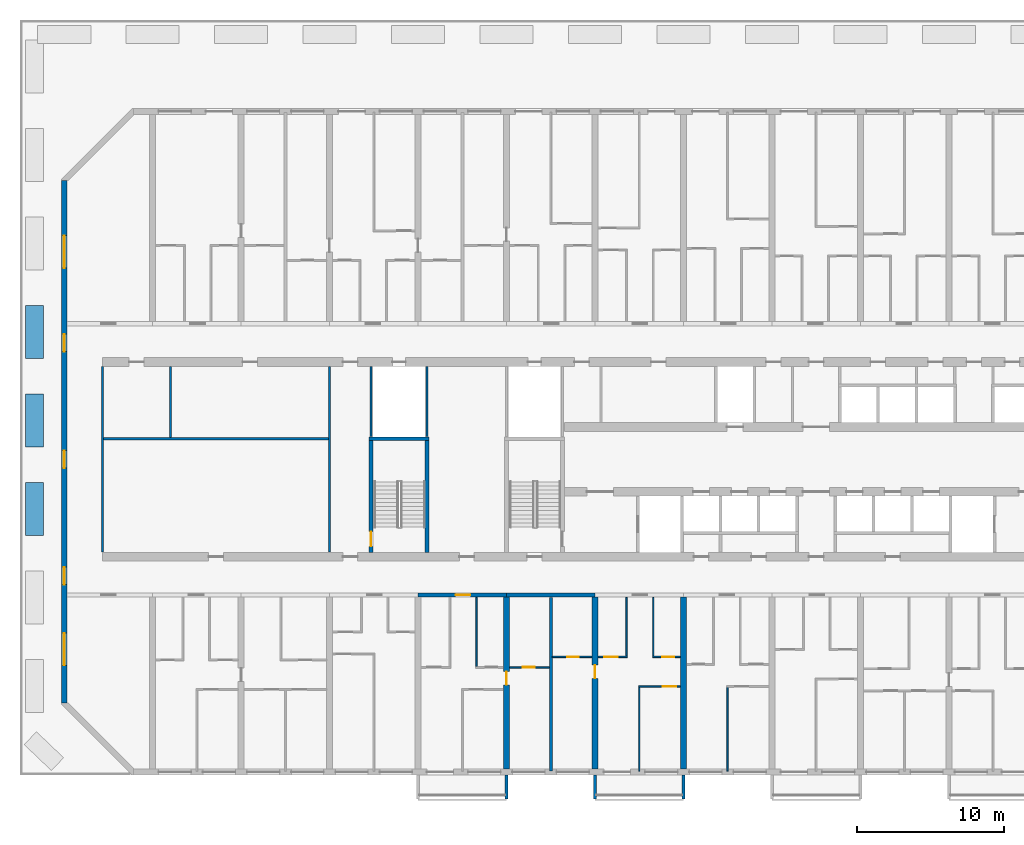
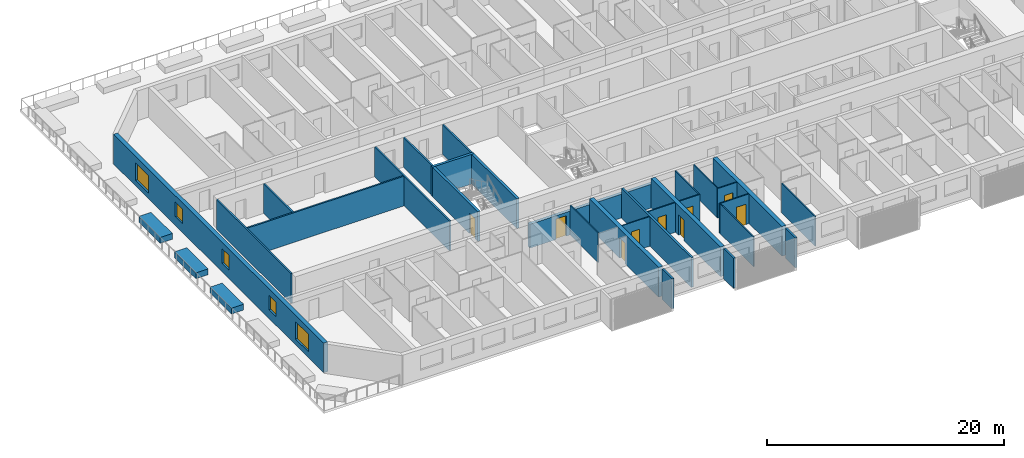
# One storey, part 3 of 23: 32 walls, 9 doors, 5 windows, 14 openings.
"""IFC4 building model written with IfcOpenShell, lengths in metres."""

from ifc_helpers import new_model, si_unit, direction, frame, frame_2d, origin, place, context, subcontext, project, spatial, polyline, rectangle, outline, extrude, source, transform, mapped, material, layer, layer_set, type_object, element, fill, save


model = new_model("IFC4")

# Units and contexts
model_context = context("Model", 3, precision=1e-05, world=origin(), true_north=direction((0.0, 1.0)))
body_context = subcontext(model_context, "Body", "Model", "MODEL_VIEW")
ifc_project = project(units=[si_unit("LENGTHUNIT", "METRE"), si_unit("AREAUNIT", "SQUARE_METRE"), si_unit("VOLUMEUNIT", "CUBIC_METRE"), si_unit("PLANEANGLEUNIT", "RADIAN"), si_unit("MASSUNIT", "GRAM", prefix="KILO")], contexts=[model_context])

# Site, building, storey
site_placement = place(None, origin())
site = spatial("IfcSite", under=ifc_project, at=site_placement, CompositionType="ELEMENT")
building_placement = place(site_placement, origin())
building = spatial("IfcBuilding", under=site, at=building_placement, Name="Poui Terraces", CompositionType="ELEMENT")
storey_placement = place(building_placement, frame((0.0, 0.0, 23.39990234375)))
storey = spatial("IfcBuildingStorey", under=building, at=storey_placement, Name="L05", CompositionType="ELEMENT", Elevation=23.39990234375)

# Walls
ifc_material_1 = material(Name="Fire-rated plasterboard wall")
ifc_layer_1 = layer(ifc_material_1, 0.14990234375)
ifc_layer_set_1 = layer_set([ifc_layer_1], Name="Fire-rated plasterboard wall")
wall_type_1 = type_object("IfcWallType", Name="CORRIDOR WALL 150", PredefinedType="PARTITIONING", material=ifc_layer_set_1)
for number, where, z_axis, x_axis, name in (
    (1, (2.60009765625, 14.909912109375, 0.0), (0.0, 0.0, 1.0), (0.0, 1.0, 0.0), "CORRIDOR WALL 150"),
    (2, (18.0, 14.909912109375, 0.0), (0.0, 0.0, 1.0), (0.0, 1.0, 0.0), "CORRIDOR WALL 150"),
):
    element("IfcWall", number, at=place(storey_placement, frame(where, z_axis=z_axis, x_axis=x_axis)), inside=storey, type_object=wall_type_1, Name=name, PredefinedType="PARTITIONING", context=body_context, shape_type="SweptSolid", body=[
        extrude(rectangle(XDim=12.580078125, YDim=0.14990234375, at=frame_2d((6.2900390625, 0.0))), origin(), (0.0, 0.0, 1.0), 3.050048828125),
    ])

# Wall, opening, door
ifc_material_2 = material(Name="Concrete 80 MPa", Category="concrete")
ifc_layer_2 = layer(ifc_material_2, 0.300048828125)
ifc_layer_set_2 = layer_set([ifc_layer_2], Name="Concrete 80 MPa")
wall_type_2 = type_object("IfcWallType", Name="CORRIDOR WALL 300 80MPa", PredefinedType="SHEAR", material=ifc_layer_set_2)
wall_1_placement = place(storey_placement, frame((24.0, 12.0, 0.0), z_axis=(0.0, 0.0, 1.0), x_axis=(1.0, 0.0, 0.0)))
wall_1 = element("IfcWall", 3, at=wall_1_placement, inside=storey, type_object=wall_type_2, Name="CORRIDOR WALL LINE B BAY 5", PredefinedType="SHEAR", context=body_context, shape_type="SweptSolid", body=[
    extrude(rectangle(XDim=6.0, YDim=0.300048828125, at=frame_2d((3.0, 0.0))), origin(), (0.0, 0.0, 1.0), 2.4501953125),
])
opening_1_placement = place(wall_1_placement, frame((2.550048828125, 0.0, 0.0)))
opening_1 = element("IfcOpeningElement", 4, at=opening_1_placement, cuts=wall_1, Name="Opening FD30S", PredefinedType="OPENING", context=body_context, shape_type="SweptSolid", body=[
    extrude(rectangle(XDim=1.0, YDim=2.10009765625, at=frame_2d((0.5, 1.050048828125))), frame((0.0, 0.16015625, 0.0), z_axis=(0.0, -1.0, 0.0), x_axis=(1.0, 0.0, 0.0)), (0.0, 0.0, 1.0), 0.320068359375),
])
ifc_material_3 = material(Name="Steel fire door", Category="steel")
door_type_1 = type_object("IfcDoorType", Name="FLAT ENTRANCE DOOR 1000 X 2100", OperationType="NOTDEFINED", PredefinedType="DOOR", material=ifc_material_3)
door_1_placement = place(opening_1_placement, frame((1.0, 0.0, 0.0), z_axis=(0.0, 0.0, 1.0), x_axis=(-1.0, 0.0, 0.0)))
door_1 = element("IfcDoor", 5, at=door_1_placement, inside=storey, type_object=door_type_1, Name="FLAT ENTRANCE DOOR 107", OperationType="SINGLE_SWING_LEFT", OverallHeight=2.10009765625, OverallWidth=1.0, PredefinedType="DOOR", context=body_context, shape_type="SweptSolid", body=[
    extrude(rectangle(XDim=1.0, YDim=2.10009765625, at=frame_2d((0.5, 1.050048828125))), frame((0.0, 0.02490234375, 0.0), z_axis=(0.0, -1.0, 0.0), x_axis=(1.0, 0.0, 0.0)), (0.0, 0.0, 1.0), 0.050048828125),
])
fill(opening_1, door_1)

# Wall
wall_2_placement = place(storey_placement, frame((30.0, 12.0, 0.0), z_axis=(0.0, 0.0, 1.0), x_axis=(1.0, 0.0, 0.0)))
element("IfcWall", 6, at=wall_2_placement, inside=storey, type_object=wall_type_2, Name="CORRIDOR WALL LINE B BAY 6", PredefinedType="SHEAR", context=body_context, shape_type="SweptSolid", body=[
    extrude(rectangle(XDim=6.0, YDim=0.300048828125, at=frame_2d((3.0, 0.0))), origin(), (0.0, 0.0, 1.0), 2.4501953125),
])

# Wall, opening, door
ifc_layer_3 = layer(ifc_material_2, 0.39990234375)
ifc_layer_set_3 = layer_set([ifc_layer_3], Name="Concrete 80 MPa")
wall_type_3 = type_object("IfcWallType", Name="CROSS WALL 400 80MPa", PredefinedType="SHEAR", material=ifc_layer_set_3)
wall_3_placement = place(storey_placement, frame((30.0, 0.199951171875, 0.0), z_axis=(0.0, 0.0, 1.0), x_axis=(0.0, 1.0, 0.0)))
wall_3 = element("IfcWall", 7, at=wall_3_placement, inside=storey, type_object=wall_type_3, Name="CROSS WALL LINE 6 SOUTH", PredefinedType="SHEAR", context=body_context, shape_type="SweptSolid", body=[
    extrude(rectangle(XDim=11.650146484375, YDim=0.39990234375, at=frame_2d((5.8251953125, 0.0))), origin(), (0.0, 0.0, 1.0), 3.050048828125),
])
opening_2_placement = place(wall_3_placement, frame((5.699951171875, 0.0, 0.0)))
opening_2 = element("IfcOpeningElement", 8, at=opening_2_placement, cuts=wall_3, Name="Opening D90", PredefinedType="OPENING", context=body_context, shape_type="SweptSolid", body=[
    extrude(rectangle(XDim=0.89990234375, YDim=2.10009765625, at=frame_2d((0.449951171875, 1.050048828125))), frame((0.0, 0.2099609375, 0.0), z_axis=(0.0, -1.0, 0.0), x_axis=(1.0, 0.0, 0.0)), (0.0, 0.0, 1.0), 0.419921875),
])
ifc_material_4 = material(Name="Solid core timber door", Category="wood")
door_type_2 = type_object("IfcDoorType", Name="INTERNAL DOOR 900 X 2100", OperationType="NOTDEFINED", PredefinedType="DOOR", material=ifc_material_4)
door_2_placement = place(opening_2_placement, frame((0.89990234375, 0.0, 0.0), z_axis=(0.0, 0.0, 1.0), x_axis=(-1.0, 0.0, 0.0)))
door_2 = element("IfcDoor", 9, at=door_2_placement, inside=storey, type_object=door_type_2, Name="INTERNAL DOOR 110", OperationType="SINGLE_SWING_LEFT", OverallHeight=2.10009765625, OverallWidth=0.89990234375, PredefinedType="DOOR", context=body_context, shape_type="SweptSolid", body=[
    extrude(rectangle(XDim=0.89990234375, YDim=2.10009765625, at=frame_2d((0.449951171875, 1.050048828125))), frame((0.0, 0.02490234375, 0.0), z_axis=(0.0, -1.0, 0.0), x_axis=(1.0, 0.0, 0.0)), (0.0, 0.0, 1.0), 0.050048828125),
])
fill(opening_2, door_2)

wall_4_placement = place(storey_placement, frame((36.0, 0.199951171875, 0.0), z_axis=(0.0, 0.0, 1.0), x_axis=(0.0, 1.0, 0.0)))
wall_4 = element("IfcWall", 10, at=wall_4_placement, inside=storey, type_object=wall_type_3, Name="CROSS WALL LINE 7 SOUTH", PredefinedType="SHEAR", context=body_context, shape_type="SweptSolid", body=[
    extrude(rectangle(XDim=11.650146484375, YDim=0.39990234375, at=frame_2d((5.8251953125, 0.0))), origin(), (0.0, 0.0, 1.0), 3.050048828125),
])
opening_3_placement = place(wall_4_placement, frame((6.14990234375, 0.0, 0.0)))
opening_3 = element("IfcOpeningElement", 11, at=opening_3_placement, cuts=wall_4, Name="Opening D90", PredefinedType="OPENING", context=body_context, shape_type="SweptSolid", body=[
    extrude(rectangle(XDim=0.89990234375, YDim=2.10009765625, at=frame_2d((0.449951171875, 1.050048828125))), frame((0.0, 0.2099609375, 0.0), z_axis=(0.0, -1.0, 0.0), x_axis=(1.0, 0.0, 0.0)), (0.0, 0.0, 1.0), 0.419921875),
])
door_3_placement = place(opening_3_placement, origin())
door_3 = element("IfcDoor", 12, at=door_3_placement, inside=storey, type_object=door_type_2, Name="INTERNAL DOOR 112", OperationType="SINGLE_SWING_RIGHT", OverallHeight=2.10009765625, OverallWidth=0.89990234375, PredefinedType="DOOR", context=body_context, shape_type="SweptSolid", body=[
    extrude(rectangle(XDim=0.89990234375, YDim=2.10009765625, at=frame_2d((0.449951171875, 1.050048828125))), frame((0.0, 0.02490234375, 0.0), z_axis=(0.0, -1.0, 0.0), x_axis=(1.0, 0.0, 0.0)), (0.0, 0.0, 1.0), 0.050048828125),
])
fill(opening_3, door_3)

# Wall
wall_5_placement = place(storey_placement, frame((42.0, 0.199951171875, 0.0), z_axis=(0.0, 0.0, 1.0), x_axis=(0.0, 1.0, 0.0)))
element("IfcWall", 13, at=wall_5_placement, inside=storey, type_object=wall_type_3, Name="CROSS WALL LINE 8 SOUTH", PredefinedType="SHEAR", context=body_context, shape_type="SweptSolid", body=[
    extrude(rectangle(XDim=11.650146484375, YDim=0.39990234375, at=frame_2d((5.8251953125, 0.0))), origin(), (0.0, 0.0, 1.0), 3.050048828125),
])

# Wall, openings, windows
ifc_layer_4 = layer(ifc_material_2, 0.39990234375)
ifc_layer_set_4 = layer_set([ifc_layer_4], Name="Concrete 80 MPa")
wall_type_4 = type_object("IfcWallType", Name="END WALL 400 80MPa", PredefinedType="SHEAR", material=ifc_layer_set_4)
wall_6_placement = place(storey_placement, frame((0.0, 4.682861328125, 0.0), z_axis=(0.0, 0.0, 1.0), x_axis=(0.0, 1.0, 0.0)))
wall_6 = element("IfcWall", 14, at=wall_6_placement, inside=storey, type_object=wall_type_4, Name="END WALL WEST", PredefinedType="SHEAR", context=body_context, shape_type="SweptSolid", body=[
    extrude(rectangle(XDim=35.434326171875, YDim=0.39990234375, at=frame_2d((17.71728515625, 0.0))), origin(), (0.0, 0.0, 1.0), 3.050048828125),
])
opening_4_placement = place(wall_6_placement, frame((23.817138671875, 0.0, 0.89990234375)))
opening_4 = element("IfcOpeningElement", 15, at=opening_4_placement, cuts=wall_6, Name="Opening W2", PredefinedType="OPENING", context=body_context, shape_type="SweptSolid", body=[
    extrude(rectangle(XDim=1.199951171875, YDim=1.5, at=frame_2d((0.60009765625, 0.75))), frame((0.0, 0.2099609375, 0.0), z_axis=(0.0, -1.0, 0.0), x_axis=(1.0, 0.0, 0.0)), (0.0, 0.0, 1.0), 0.419921875),
])
opening_5_placement = place(wall_6_placement, frame((8.01708984375, 0.0, 0.89990234375)))
opening_5 = element("IfcOpeningElement", 16, at=opening_5_placement, cuts=wall_6, Name="Opening W2", PredefinedType="OPENING", context=body_context, shape_type="SweptSolid", body=[
    extrude(rectangle(XDim=1.199951171875, YDim=1.5, at=frame_2d((0.60009765625, 0.75))), frame((0.0, 0.2099609375, 0.0), z_axis=(0.0, -1.0, 0.0), x_axis=(1.0, 0.0, 0.0)), (0.0, 0.0, 1.0), 0.419921875),
])
opening_6_placement = place(wall_6_placement, frame((15.917236328125, 0.0, 0.89990234375)))
opening_6 = element("IfcOpeningElement", 17, at=opening_6_placement, cuts=wall_6, Name="Opening W2", PredefinedType="OPENING", context=body_context, shape_type="SweptSolid", body=[
    extrude(rectangle(XDim=1.199951171875, YDim=1.5, at=frame_2d((0.60009765625, 0.75))), frame((0.0, 0.2099609375, 0.0), z_axis=(0.0, -1.0, 0.0), x_axis=(1.0, 0.0, 0.0)), (0.0, 0.0, 1.0), 0.419921875),
])
opening_7_placement = place(wall_6_placement, frame((29.493408203125, 0.0, 0.60009765625)))
opening_7 = element("IfcOpeningElement", 18, at=opening_7_placement, cuts=wall_6, Name="Opening W3", PredefinedType="OPENING", context=body_context, shape_type="SweptSolid", body=[
    extrude(rectangle(XDim=2.199951171875, YDim=1.800048828125, at=frame_2d((1.10009765625, 0.89990234375))), frame((0.0, 0.2099609375, 0.0), z_axis=(0.0, -1.0, 0.0), x_axis=(1.0, 0.0, 0.0)), (0.0, 0.0, 1.0), 0.419921875),
])
opening_8_placement = place(wall_6_placement, frame((2.541015625, 0.0, 0.60009765625)))
opening_8 = element("IfcOpeningElement", 19, at=opening_8_placement, cuts=wall_6, Name="Opening W3", PredefinedType="OPENING", context=body_context, shape_type="SweptSolid", body=[
    extrude(rectangle(XDim=2.199951171875, YDim=1.800048828125, at=frame_2d((1.10009765625, 0.89990234375))), frame((0.0, 0.2099609375, 0.0), z_axis=(0.0, -1.0, 0.0), x_axis=(1.0, 0.0, 0.0)), (0.0, 0.0, 1.0), 0.419921875),
])
ifc_material_5 = material(Name="Clear glass in aluminium frame", Category="aluminium")
window_type_1 = type_object("IfcWindowType", Name="WINDOW 1200X1500", PartitioningType="SINGLE_PANEL", PredefinedType="WINDOW", material=ifc_material_5)
window_1_placement = place(opening_4_placement, origin())
window_1 = element("IfcWindow", 20, at=window_1_placement, inside=storey, type_object=window_type_1, Name="W2 WINDOW", OverallHeight=1.5, OverallWidth=1.199951171875, PartitioningType="SINGLE_PANEL", PredefinedType="WINDOW", context=body_context, shape_type="SweptSolid", body=[
    extrude(rectangle(XDim=1.199951171875, YDim=1.5, at=frame_2d((0.60009765625, 0.75))), frame((0.0, 0.030029296875, 0.0), z_axis=(0.0, -1.0, 0.0), x_axis=(1.0, 0.0, 0.0)), (0.0, 0.0, 1.0), 0.06005859375),
])
fill(opening_4, window_1)
window_2_placement = place(opening_5_placement, origin())
window_2 = element("IfcWindow", 21, at=window_2_placement, inside=storey, type_object=window_type_1, Name="W2 WINDOW", OverallHeight=1.5, OverallWidth=1.199951171875, PartitioningType="SINGLE_PANEL", PredefinedType="WINDOW", context=body_context, shape_type="SweptSolid", body=[
    extrude(rectangle(XDim=1.199951171875, YDim=1.5, at=frame_2d((0.60009765625, 0.75))), frame((0.0, 0.030029296875, 0.0), z_axis=(0.0, -1.0, 0.0), x_axis=(1.0, 0.0, 0.0)), (0.0, 0.0, 1.0), 0.06005859375),
])
fill(opening_5, window_2)
window_3_placement = place(opening_6_placement, origin())
window_3 = element("IfcWindow", 22, at=window_3_placement, inside=storey, type_object=window_type_1, Name="W2 WINDOW", OverallHeight=1.5, OverallWidth=1.199951171875, PartitioningType="SINGLE_PANEL", PredefinedType="WINDOW", context=body_context, shape_type="SweptSolid", body=[
    extrude(rectangle(XDim=1.199951171875, YDim=1.5, at=frame_2d((0.60009765625, 0.75))), frame((0.0, 0.030029296875, 0.0), z_axis=(0.0, -1.0, 0.0), x_axis=(1.0, 0.0, 0.0)), (0.0, 0.0, 1.0), 0.06005859375),
])
fill(opening_6, window_3)
window_type_2 = type_object("IfcWindowType", Name="WINDOW 2200X1800", PartitioningType="DOUBLE_PANEL_HORIZONTAL", PredefinedType="WINDOW", material=ifc_material_5)
window_4_placement = place(opening_7_placement, origin())
window_4 = element("IfcWindow", 23, at=window_4_placement, inside=storey, type_object=window_type_2, Name="W3 WINDOW", OverallHeight=1.800048828125, OverallWidth=2.199951171875, PartitioningType="DOUBLE_PANEL_HORIZONTAL", PredefinedType="WINDOW", context=body_context, shape_type="SweptSolid", body=[
    extrude(rectangle(XDim=2.199951171875, YDim=1.800048828125, at=frame_2d((1.10009765625, 0.89990234375))), frame((0.0, 0.030029296875, 0.0), z_axis=(0.0, -1.0, 0.0), x_axis=(1.0, 0.0, 0.0)), (0.0, 0.0, 1.0), 0.06005859375),
])
fill(opening_7, window_4)
window_5_placement = place(opening_8_placement, origin())
window_5 = element("IfcWindow", 24, at=window_5_placement, inside=storey, type_object=window_type_2, Name="W3 WINDOW", OverallHeight=1.800048828125, OverallWidth=2.199951171875, PartitioningType="DOUBLE_PANEL_HORIZONTAL", PredefinedType="WINDOW", context=body_context, shape_type="SweptSolid", body=[
    extrude(rectangle(XDim=2.199951171875, YDim=1.800048828125, at=frame_2d((1.10009765625, 0.89990234375))), frame((0.0, 0.030029296875, 0.0), z_axis=(0.0, -1.0, 0.0), x_axis=(1.0, 0.0, 0.0)), (0.0, 0.0, 1.0), 0.06005859375),
])
fill(opening_8, window_5)

# Wall, opening, door
ifc_material_6 = material(Name="Plasterboard partition")
ifc_layer_5 = layer(ifc_material_6, 0.10009765625)
ifc_layer_set_5 = layer_set([ifc_layer_5], Name="Plasterboard partition")
wall_type_5 = type_object("IfcWallType", Name="FLAT PARTITION 100", PredefinedType="PARTITIONING", material=ifc_layer_set_5)
wall_7_placement = place(storey_placement, frame((38.949951171875, 5.800048828125, 0.0), z_axis=(0.0, 0.0, 1.0), x_axis=(1.0, 0.0, 0.0)))
wall_7 = element("IfcWall", 25, at=wall_7_placement, inside=storey, type_object=wall_type_5, Name="FLAT PARTITION 100", PredefinedType="PARTITIONING", context=body_context, shape_type="SweptSolid", body=[
    extrude(rectangle(XDim=2.840087890625, YDim=0.10009765625, at=frame_2d((1.419921875, 0.0))), origin(), (0.0, 0.0, 1.0), 3.050048828125),
])
opening_9_placement = place(wall_7_placement, frame((1.64990234375, 0.0, 0.0)))
opening_9 = element("IfcOpeningElement", 26, at=opening_9_placement, cuts=wall_7, Name="Opening D90", PredefinedType="OPENING", context=body_context, shape_type="SweptSolid", body=[
    extrude(rectangle(XDim=0.89990234375, YDim=2.10009765625, at=frame_2d((0.449951171875, 1.050048828125))), frame((0.0, 0.06005859375, 0.0), z_axis=(0.0, -1.0, 0.0), x_axis=(1.0, 0.0, 0.0)), (0.0, 0.0, 1.0), 0.1201171875),
])
door_4_placement = place(opening_9_placement, origin())
door_4 = element("IfcDoor", 27, at=door_4_placement, inside=storey, type_object=door_type_2, Name="INTERNAL DOOR 116", OperationType="SINGLE_SWING_LEFT", OverallHeight=2.10009765625, OverallWidth=0.89990234375, PredefinedType="DOOR", context=body_context, shape_type="SweptSolid", body=[
    extrude(rectangle(XDim=0.89990234375, YDim=2.10009765625, at=frame_2d((0.449951171875, 1.050048828125))), frame((0.0, 0.02490234375, 0.0), z_axis=(0.0, -1.0, 0.0), x_axis=(1.0, 0.0, 0.0)), (0.0, 0.0, 1.0), 0.050048828125),
])
fill(opening_9, door_4)

wall_8_placement = place(storey_placement, frame((30.2099609375, 7.10009765625, 0.0), z_axis=(0.0, 0.0, 1.0), x_axis=(1.0, 0.0, 0.0)))
wall_8 = element("IfcWall", 28, at=wall_8_placement, inside=storey, type_object=wall_type_5, Name="FLAT PARTITION 100", PredefinedType="PARTITIONING", context=body_context, shape_type="SweptSolid", body=[
    extrude(rectangle(XDim=2.68994140625, YDim=0.10009765625, at=frame_2d((1.344970703125, 0.0))), origin(), (0.0, 0.0, 1.0), 3.050048828125),
])
opening_10_placement = place(wall_8_placement, frame((0.889892578125, 0.0, 0.0)))
opening_10 = element("IfcOpeningElement", 29, at=opening_10_placement, cuts=wall_8, Name="Opening D80", PredefinedType="OPENING", context=body_context, shape_type="SweptSolid", body=[
    extrude(rectangle(XDim=0.800048828125, YDim=2.10009765625, at=frame_2d((0.39990234375, 1.050048828125))), frame((0.0, 0.06005859375, 0.0), z_axis=(0.0, -1.0, 0.0), x_axis=(1.0, 0.0, 0.0)), (0.0, 0.0, 1.0), 0.1201171875),
])
door_type_3 = type_object("IfcDoorType", Name="BATHROOM, LAUNDRY AND STORE DOOR 800 X 2100", OperationType="NOTDEFINED", PredefinedType="DOOR", material=ifc_material_4)
door_5_placement = place(opening_10_placement, origin())
door_5 = element("IfcDoor", 30, at=door_5_placement, inside=storey, type_object=door_type_3, Name="BATHROOM, LAUNDRY AND STORE DOOR 105", OperationType="SINGLE_SWING_RIGHT", OverallHeight=2.10009765625, OverallWidth=0.800048828125, PredefinedType="DOOR", context=body_context, shape_type="SweptSolid", body=[
    extrude(rectangle(XDim=0.800048828125, YDim=2.10009765625, at=frame_2d((0.39990234375, 1.050048828125))), frame((0.0, 0.02490234375, 0.0), z_axis=(0.0, -1.0, 0.0), x_axis=(1.0, 0.0, 0.0)), (0.0, 0.0, 1.0), 0.050048828125),
])
fill(opening_10, door_5)

wall_9_placement = place(storey_placement, frame((33.10009765625, 7.800048828125, 0.0), z_axis=(0.0, 0.0, 1.0), x_axis=(1.0, 0.0, 0.0)))
wall_9 = element("IfcWall", 31, at=wall_9_placement, inside=storey, type_object=wall_type_5, Name="FLAT PARTITION 100", PredefinedType="PARTITIONING", context=body_context, shape_type="SweptSolid", body=[
    extrude(rectangle(XDim=2.68994140625, YDim=0.10009765625, at=frame_2d((1.344970703125, 0.0))), origin(), (0.0, 0.0, 1.0), 3.050048828125),
])
opening_11_placement = place(wall_9_placement, frame((1.0, 0.0, 0.0)))
opening_11 = element("IfcOpeningElement", 32, at=opening_11_placement, cuts=wall_9, Name="Opening D80", PredefinedType="OPENING", context=body_context, shape_type="SweptSolid", body=[
    extrude(rectangle(XDim=0.800048828125, YDim=2.10009765625, at=frame_2d((0.39990234375, 1.050048828125))), frame((0.0, 0.06005859375, 0.0), z_axis=(0.0, -1.0, 0.0), x_axis=(1.0, 0.0, 0.0)), (0.0, 0.0, 1.0), 0.1201171875),
])
door_6_placement = place(opening_11_placement, origin())
door_6 = element("IfcDoor", 33, at=door_6_placement, inside=storey, type_object=door_type_3, Name="BATHROOM, LAUNDRY AND STORE DOOR 111", OperationType="SINGLE_SWING_LEFT", OverallHeight=2.10009765625, OverallWidth=0.800048828125, PredefinedType="DOOR", context=body_context, shape_type="SweptSolid", body=[
    extrude(rectangle(XDim=0.800048828125, YDim=2.10009765625, at=frame_2d((0.39990234375, 1.050048828125))), frame((0.0, 0.02490234375, 0.0), z_axis=(0.0, -1.0, 0.0), x_axis=(1.0, 0.0, 0.0)), (0.0, 0.0, 1.0), 0.050048828125),
])
fill(opening_11, door_6)

wall_10_placement = place(storey_placement, frame((36.2099609375, 7.800048828125, 0.0), z_axis=(0.0, 0.0, 1.0), x_axis=(1.0, 0.0, 0.0)))
wall_10 = element("IfcWall", 34, at=wall_10_placement, inside=storey, type_object=wall_type_5, Name="FLAT PARTITION 100", PredefinedType="PARTITIONING", context=body_context, shape_type="SweptSolid", body=[
    extrude(rectangle(XDim=1.989990234375, YDim=0.10009765625, at=frame_2d((0.9951171875, 0.0))), origin(), (0.0, 0.0, 1.0), 3.050048828125),
])
opening_12_placement = place(wall_10_placement, frame((0.4150390625, 0.0, 0.0)))
opening_12 = element("IfcOpeningElement", 35, at=opening_12_placement, cuts=wall_10, Name="Opening D90", PredefinedType="OPENING", context=body_context, shape_type="SweptSolid", body=[
    extrude(rectangle(XDim=0.89990234375, YDim=2.10009765625, at=frame_2d((0.449951171875, 1.050048828125))), frame((0.0, 0.06005859375, 0.0), z_axis=(0.0, -1.0, 0.0), x_axis=(1.0, 0.0, 0.0)), (0.0, 0.0, 1.0), 0.1201171875),
])
door_7_placement = place(opening_12_placement, origin())
door_7 = element("IfcDoor", 36, at=door_7_placement, inside=storey, type_object=door_type_2, Name="INTERNAL DOOR 113", OperationType="SINGLE_SWING_LEFT", OverallHeight=2.10009765625, OverallWidth=0.89990234375, PredefinedType="DOOR", context=body_context, shape_type="SweptSolid", body=[
    extrude(rectangle(XDim=0.89990234375, YDim=2.10009765625, at=frame_2d((0.449951171875, 1.050048828125))), frame((0.0, 0.02490234375, 0.0), z_axis=(0.0, -1.0, 0.0), x_axis=(1.0, 0.0, 0.0)), (0.0, 0.0, 1.0), 0.050048828125),
])
fill(opening_12, door_7)

wall_11_placement = place(storey_placement, frame((39.89990234375, 7.800048828125, 0.0), z_axis=(0.0, 0.0, 1.0), x_axis=(1.0, 0.0, 0.0)))
wall_11 = element("IfcWall", 37, at=wall_11_placement, inside=storey, type_object=wall_type_5, Name="FLAT PARTITION 100", PredefinedType="PARTITIONING", context=body_context, shape_type="SweptSolid", body=[
    extrude(rectangle(XDim=1.89013671875, YDim=0.10009765625, at=frame_2d((0.945068359375, 0.0))), origin(), (0.0, 0.0, 1.0), 3.050048828125),
])
opening_13_placement = place(wall_11_placement, frame((0.675048828125, 0.0, 0.0)))
opening_13 = element("IfcOpeningElement", 38, at=opening_13_placement, cuts=wall_11, Name="Opening D80", PredefinedType="OPENING", context=body_context, shape_type="SweptSolid", body=[
    extrude(rectangle(XDim=0.800048828125, YDim=2.10009765625, at=frame_2d((0.39990234375, 1.050048828125))), frame((0.0, 0.06005859375, 0.0), z_axis=(0.0, -1.0, 0.0), x_axis=(1.0, 0.0, 0.0)), (0.0, 0.0, 1.0), 0.1201171875),
])
door_8_placement = place(opening_13_placement, origin())
door_8 = element("IfcDoor", 39, at=door_8_placement, inside=storey, type_object=door_type_3, Name="BATHROOM, LAUNDRY AND STORE DOOR 115", OperationType="SINGLE_SWING_RIGHT", OverallHeight=2.10009765625, OverallWidth=0.800048828125, PredefinedType="DOOR", context=body_context, shape_type="SweptSolid", body=[
    extrude(rectangle(XDim=0.800048828125, YDim=2.10009765625, at=frame_2d((0.39990234375, 1.050048828125))), frame((0.0, 0.02490234375, 0.0), z_axis=(0.0, -1.0, 0.0), x_axis=(1.0, 0.0, 0.0)), (0.0, 0.0, 1.0), 0.050048828125),
])
fill(opening_13, door_8)

# Walls
wall_12_placement = place(storey_placement, frame((27.949951171875, 7.14990234375, 0.0), z_axis=(0.0, 0.0, 1.0), x_axis=(0.0, 1.0, 0.0)))
element("IfcWall", 40, at=wall_12_placement, inside=storey, type_object=wall_type_5, Name="FLAT PARTITION 100", PredefinedType="PARTITIONING", context=body_context, shape_type="SweptSolid", body=[
    extrude(rectangle(XDim=4.690185546875, YDim=0.10009765625, at=frame_2d((2.34521484375, 0.0))), origin(), (0.0, 0.0, 1.0), 3.050048828125),
])
wall_13_placement = place(storey_placement, frame((38.14990234375, 7.85009765625, 0.0), z_axis=(0.0, 0.0, 1.0), x_axis=(0.0, 1.0, 0.0)))
element("IfcWall", 41, at=wall_13_placement, inside=storey, type_object=wall_type_5, Name="FLAT PARTITION 100", PredefinedType="PARTITIONING", context=body_context, shape_type="SweptSolid", body=[
    extrude(rectangle(XDim=3.989990234375, YDim=0.10009765625, at=frame_2d((1.9951171875, 0.0))), origin(), (0.0, 0.0, 1.0), 3.050048828125),
])
wall_14_placement = place(storey_placement, frame((39.0, 0.06005859375, 0.0), z_axis=(0.0, 0.0, 1.0), x_axis=(0.0, 1.0, 0.0)))
element("IfcWall", 42, at=wall_14_placement, inside=storey, type_object=wall_type_5, Name="FLAT PARTITION 100", PredefinedType="PARTITIONING", context=body_context, shape_type="SweptSolid", body=[
    extrude(rectangle(XDim=5.68994140625, YDim=0.10009765625, at=frame_2d((2.844970703125, 0.0))), origin(), (0.0, 0.0, 1.0), 3.050048828125),
])
wall_15_placement = place(storey_placement, frame((39.949951171875, 7.85009765625, 0.0), z_axis=(0.0, 0.0, 1.0), x_axis=(0.0, 1.0, 0.0)))
element("IfcWall", 43, at=wall_15_placement, inside=storey, type_object=wall_type_5, Name="FLAT PARTITION 100", PredefinedType="PARTITIONING", context=body_context, shape_type="SweptSolid", body=[
    extrude(rectangle(XDim=3.989990234375, YDim=0.10009765625, at=frame_2d((1.9951171875, 0.0))), origin(), (0.0, 0.0, 1.0), 3.050048828125),
])
wall_16_placement = place(storey_placement, frame((45.0, 0.06005859375, 0.0), z_axis=(0.0, 0.0, 1.0), x_axis=(0.0, 1.0, 0.0)))
element("IfcWall", 44, at=wall_16_placement, inside=storey, type_object=wall_type_5, Name="FLAT PARTITION 100", PredefinedType="PARTITIONING", context=body_context, shape_type="SweptSolid", body=[
    extrude(rectangle(XDim=5.68994140625, YDim=0.10009765625, at=frame_2d((2.844970703125, 0.0))), origin(), (0.0, 0.0, 1.0), 3.050048828125),
])
ifc_material_7 = material(Name="Fire-rated masonry wall", Category="masonry")
ifc_layer_6 = layer(ifc_material_7, 0.199951171875)
ifc_layer_set_6 = layer_set([ifc_layer_6], Name="Fire-rated masonry wall")
wall_type_6 = type_object("IfcWallType", Name="FLAT PARTY WALL 200", PredefinedType="PARTITIONING", material=ifc_layer_set_6)
wall_17_placement = place(storey_placement, frame((33.0, 0.06005859375, 0.0), z_axis=(0.0, 0.0, 1.0), x_axis=(0.0, 1.0, 0.0)))
element("IfcWall", 45, at=wall_17_placement, inside=storey, type_object=wall_type_6, Name="FLAT PARTY WALL 200", PredefinedType="PARTITIONING", context=body_context, shape_type="SweptSolid", body=[
    extrude(rectangle(XDim=11.780029296875, YDim=0.199951171875, at=frame_2d((5.89013671875, 0.0))), origin(), (0.0, 0.0, 1.0), 3.050048828125),
])
ifc_layer_7 = layer(ifc_material_6, 0.14990234375)
ifc_layer_set_7 = layer_set([ifc_layer_7], Name="Plasterboard partition")
wall_type_7 = type_object("IfcWallType", Name="PARTITION WALL 150", PredefinedType="PARTITIONING", material=ifc_layer_set_7)
wall_18_placement = place(storey_placement, frame((2.675048828125, 22.60009765625, 0.0), z_axis=(0.0, 0.0, 1.0), x_axis=(1.0, 0.0, 0.0)))
element("IfcWall", 46, at=wall_18_placement, inside=storey, type_object=wall_type_7, Name="PARTITION WALL 150", PredefinedType="PARTITIONING", context=body_context, shape_type="SweptSolid", body=[
    extrude(rectangle(XDim=15.25, YDim=0.14990234375, at=frame_2d((7.625, 0.0))), origin(), (0.0, 0.0, 1.0), 3.050048828125),
])
wall_19_placement = place(storey_placement, frame((7.199951171875, 22.675048828125, 0.0), z_axis=(0.0, 0.0, 1.0), x_axis=(0.0, 1.0, 0.0)))
element("IfcWall", 47, at=wall_19_placement, inside=storey, type_object=wall_type_7, Name="PARTITION WALL 150", PredefinedType="PARTITIONING", context=body_context, shape_type="SweptSolid", body=[
    extrude(rectangle(XDim=4.81494140625, YDim=0.14990234375, at=frame_2d((2.407470703125, 0.0))), origin(), (0.0, 0.0, 1.0), 3.050048828125),
])
ifc_material_8 = material(Name="Fire-rated plasterboard riser wall")
ifc_layer_8 = layer(ifc_material_8, 0.14990234375)
ifc_layer_set_8 = layer_set([ifc_layer_8], Name="Fire-rated plasterboard riser wall")
wall_type_8 = type_object("IfcWallType", Name="RISER WALL 150", PredefinedType="PARTITIONING", material=ifc_layer_set_8)
for number, where, z_axis, x_axis, name in (
    (48, (20.800048828125, 22.735107421875, 0.0), (0.0, 0.0, 1.0), (0.0, 1.0, 0.0), "RISER WALL 150"),
    (49, (24.60009765625, 22.735107421875, 0.0), (0.0, 0.0, 1.0), (0.0, 1.0, 0.0), "RISER WALL 150"),
):
    element("IfcWall", number, at=place(storey_placement, frame(where, z_axis=z_axis, x_axis=x_axis)), inside=storey, type_object=wall_type_8, Name=name, PredefinedType="PARTITIONING", context=body_context, shape_type="SweptSolid", body=[
        extrude(rectangle(XDim=4.7548828125, YDim=0.14990234375, at=frame_2d((2.37744140625, 0.0))), origin(), (0.0, 0.0, 1.0), 3.050048828125),
    ])

# Wall, opening, door
ifc_layer_9 = layer(ifc_material_2, 0.25)
ifc_layer_set_9 = layer_set([ifc_layer_9], Name="Concrete 80 MPa")
wall_type_9 = type_object("IfcWallType", Name="STAIR CORE WALL 250 80 MPA", PredefinedType="SOLIDWALL", material=ifc_layer_set_9)
wall_20_placement = place(storey_placement, frame((20.800048828125, 14.89990234375, 0.0), z_axis=(0.0, 0.0, 1.0), x_axis=(0.0, 1.0, 0.0)))
wall_20 = element("IfcWall", 50, at=wall_20_placement, inside=storey, type_object=wall_type_9, Name="STAIR CORE WALL", PredefinedType="SOLIDWALL", context=body_context, shape_type="SweptSolid", body=[
    extrude(rectangle(XDim=7.5751953125, YDim=0.25, at=frame_2d((3.78759765625, 0.0))), origin(), (0.0, 0.0, 1.0), 3.050048828125),
])
opening_14_placement = place(wall_20_placement, frame((0.39990234375, 0.0, 0.0)))
opening_14 = element("IfcOpeningElement", 51, at=opening_14_placement, cuts=wall_20, Name="Opening FD60S", PredefinedType="OPENING", context=body_context, shape_type="SweptSolid", body=[
    extrude(rectangle(XDim=1.0, YDim=2.10009765625, at=frame_2d((0.5, 1.050048828125))), frame((0.0, 0.135009765625, 0.0), z_axis=(0.0, -1.0, 0.0), x_axis=(1.0, 0.0, 0.0)), (0.0, 0.0, 1.0), 0.27001953125),
])
door_type_4 = type_object("IfcDoorType", Name="STAIR DOOR 1000 X 2100", OperationType="NOTDEFINED", PredefinedType="DOOR", material=ifc_material_3)
door_9_placement = place(opening_14_placement, frame((1.0, 0.0, 0.0), z_axis=(0.0, 0.0, 1.0), x_axis=(-1.0, 0.0, 0.0)))
door_9 = element("IfcDoor", 52, at=door_9_placement, inside=storey, type_object=door_type_4, Name="STAIR DOOR 168", OperationType="SINGLE_SWING_RIGHT", OverallHeight=2.10009765625, OverallWidth=1.0, PredefinedType="DOOR", context=body_context, shape_type="SweptSolid", body=[
    extrude(rectangle(XDim=1.0, YDim=2.10009765625, at=frame_2d((0.5, 1.050048828125))), frame((0.0, 0.02490234375, 0.0), z_axis=(0.0, -1.0, 0.0), x_axis=(1.0, 0.0, 0.0)), (0.0, 0.0, 1.0), 0.050048828125),
])
fill(opening_14, door_9)

# Walls
wall_21_placement = place(storey_placement, frame((24.60009765625, 14.89990234375, 0.0), z_axis=(0.0, 0.0, 1.0), x_axis=(0.0, 1.0, 0.0)))
element("IfcWall", 53, at=wall_21_placement, inside=storey, type_object=wall_type_9, Name="STAIR CORE WALL", PredefinedType="SOLIDWALL", context=body_context, shape_type="SweptSolid", body=[
    extrude(rectangle(XDim=7.5751953125, YDim=0.25, at=frame_2d((3.78759765625, 0.0))), origin(), (0.0, 0.0, 1.0), 3.050048828125),
])
wall_22_placement = place(storey_placement, frame((20.675048828125, 22.60009765625, 0.0), z_axis=(0.0, 0.0, 1.0), x_axis=(1.0, 0.0, 0.0)))
element("IfcWall", 54, at=wall_22_placement, inside=storey, type_object=wall_type_9, Name="STAIR CORE WALL", PredefinedType="SOLIDWALL", context=body_context, shape_type="SweptSolid", body=[
    extrude(rectangle(XDim=4.050048828125, YDim=0.25, at=frame_2d((2.02490234375, 0.0))), origin(), (0.0, 0.0, 1.0), 3.050048828125),
])
ifc_material_9 = material(Name="Precast concrete 40 MPa", Category="concrete")
ifc_layer_10 = layer(ifc_material_9, 1.199951171875)
ifc_layer_set_10 = layer_set([ifc_layer_10], Name="Precast concrete 40 MPa")
wall_type_10 = type_object("IfcWallType", Name="PLANTER 600", PredefinedType="USERDEFINED", material=ifc_layer_set_10)
shared_shape_1 = source(origin(), body_context, "Body", "SweptSolid", [
    extrude(outline(polyline([(0.0, 0.0), (1.2001953125, 0.0), (1.2001953125, 3.599853515625), (0.0, 3.599853515625), (0.0, 0.0)])), origin(), (0.0, 0.0, 1.0), 0.60009765625),
])
for number, where, name in (
    (55, (-2.6201171875, 16.0400390625, 0.0), "PLANTER"),
    (56, (-2.6201171875, 22.0400390625, 0.0), "PLANTER"),
    (57, (-2.6201171875, 28.0400390625, 0.0), "PLANTER"),
):
    element("IfcWall", number, at=place(storey_placement, frame(where)), inside=storey, type_object=wall_type_10, Name=name, ObjectType="PLANTER", PredefinedType="USERDEFINED", context=body_context, shape_type="MappedRepresentation", body=[
        mapped(shared_shape_1, transform((0.0, 0.0, 0.0))),
    ])
ifc_layer_11 = layer(ifc_material_9, 0.199951171875)
ifc_layer_set_11 = layer_set([ifc_layer_11], Name="Precast concrete 40 MPa")
wall_type_11 = type_object("IfcWallType", Name="REAR FIN 200", PredefinedType="STANDARD", material=ifc_layer_set_11)
shared_shape_2 = source(origin(), body_context, "Body", "SweptSolid", [
    extrude(outline(polyline([(0.0, 0.0), (0.2001953125, 0.0), (0.2001953125, 1.650146484375), (0.0, 1.650146484375), (0.0, 0.0)])), origin(), (0.0, 0.0, 1.0), 3.10009765625),
])
for number, where, name in (
    (58, (29.89990234375, -1.85009765625, 0.0), "REAR FIN"),
    (59, (35.89990234375, -1.85009765625, 0.0), "REAR FIN"),
    (60, (41.89990234375, -1.85009765625, 0.0), "REAR FIN"),
):
    element("IfcWall", number, at=place(storey_placement, frame(where)), inside=storey, type_object=wall_type_11, Name=name, PredefinedType="STANDARD", context=body_context, shape_type="MappedRepresentation", body=[
        mapped(shared_shape_2, transform((0.0, 0.0, 0.0))),
    ])

save(model, "model.ifc")
